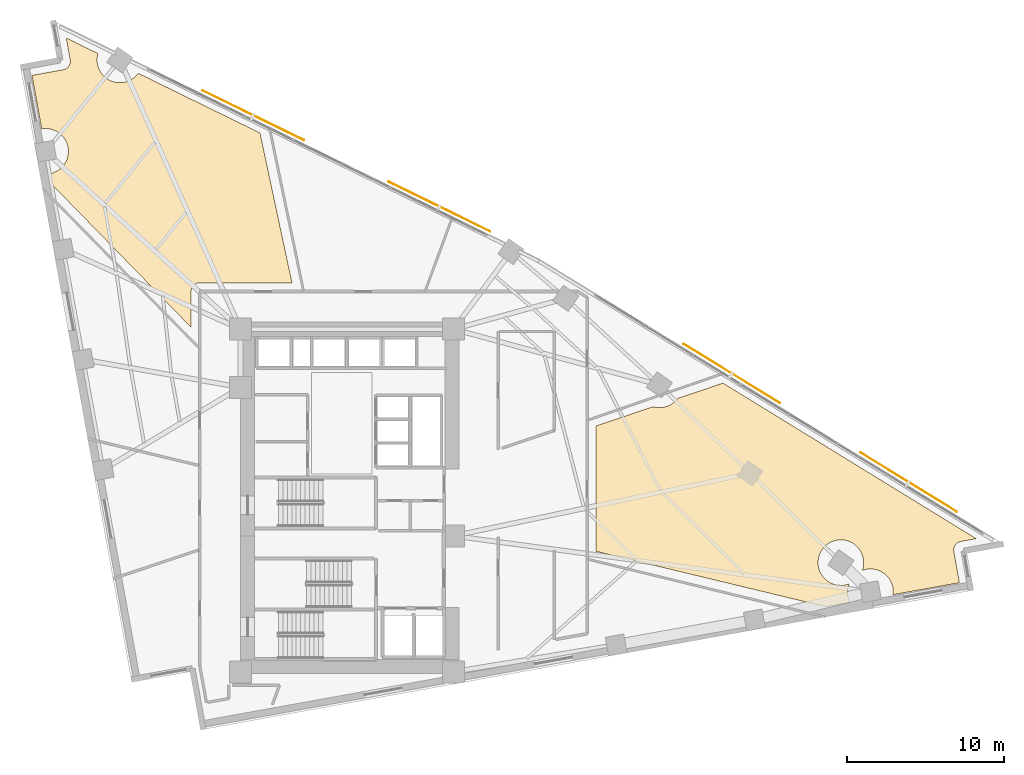
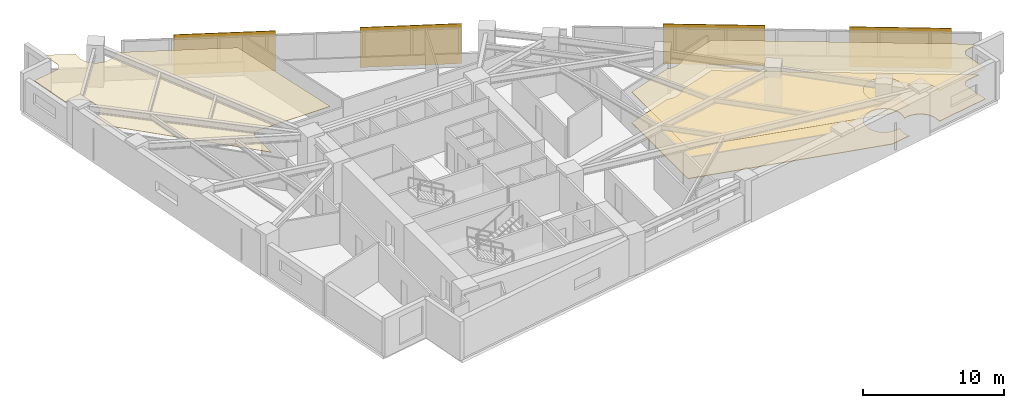
# One storey, part 18 of 18: 4 shading devices, 3 coverings.
"""IFC4 building model written with IfcOpenShell, lengths in metres."""

from ifc_helpers import new_model, si_unit, direction, frame, origin, origin_2d, place, context, subcontext, project, spatial, polyline, rectangle, outline, extrude, material, layer, layer_set, type_object, element, save


model = new_model("IFC4")

# Units and contexts
model_context = context("Model", 3, precision=1e-05, world=origin(), true_north=direction((0.0, 1.0)))
body_context = subcontext(model_context, "Body", "Model", "MODEL_VIEW")
ifc_project = project(units=[si_unit("LENGTHUNIT", "METRE"), si_unit("AREAUNIT", "SQUARE_METRE"), si_unit("VOLUMEUNIT", "CUBIC_METRE"), si_unit("PLANEANGLEUNIT", "RADIAN"), si_unit("MASSUNIT", "GRAM", prefix="KILO")], contexts=[model_context])

# Site, building, storey
site_placement = place(None, origin())
site = spatial("IfcSite", under=ifc_project, at=site_placement, CompositionType="ELEMENT")
building_placement = place(site_placement, origin())
building = spatial("IfcBuilding", under=site, at=building_placement, Name="Narakoshi Arena Tower", CompositionType="ELEMENT")
storey_placement = place(building_placement, frame((0.0, 0.0, 99.300048828125)))
storey = spatial("IfcBuildingStorey", under=building, at=storey_placement, Name="L26", CompositionType="ELEMENT", Elevation=99.300048828125)

# Coverings
ifc_material_1 = material(Name="Acoustic mineral-fibre ceiling tile")
ifc_layer_1 = layer(ifc_material_1, 0.02001953125)
ifc_layer_set_1 = layer_set([ifc_layer_1], Name="Acoustic mineral-fibre ceiling tile")
covering_type_1 = type_object("IfcCoveringType", Name="COV-CLG-AC20", PredefinedType="CEILING", material=ifc_layer_set_1)
covering_1_placement = place(storey_placement, frame((0.0, 0.0, 2.669921875)))
element("IfcCovering", 1, at=covering_1_placement, inside=storey, type_object=covering_type_1, Name="L26 Suspended Acoustic Ceiling 1", PredefinedType="CEILING", context=body_context, shape_type="SweptSolid", body=[
    extrude(outline(polyline([(117.8193359375, 42.995361328125), (117.766845703125, 42.983154296875), (117.715576171875, 42.9658203125), (117.66650390625, 42.943603515625), (117.61962890625, 42.916748046875), (117.57568359375, 42.88525390625), (117.53515625, 42.849609375), (117.498291015625, 42.810302734375), (117.46533203125, 42.767578125), (117.436767578125, 42.7216796875), (117.412841796875, 42.67333984375), (117.393798828125, 42.622802734375), (117.379638671875, 42.57080078125), (117.370849609375, 42.517578125), (117.3671875, 42.463623046875), (117.368896484375, 42.409912109375), (117.3759765625, 42.356201171875), (117.734619140625, 40.372314453125), (113.506103515625, 39.607421875), (113.51318359375, 39.65576171875), (113.520263671875, 39.7978515625), (113.51318359375, 39.93994140625), (113.492431640625, 40.080810546875), (113.4580078125, 40.21875), (113.409912109375, 40.352783203125), (113.34912109375, 40.4814453125), (113.27587890625, 40.603515625), (113.191162109375, 40.7177734375), (113.095703125, 40.8232421875), (112.990234375, 40.918701171875), (112.8759765625, 41.00341796875), (112.75390625, 41.07666015625), (112.625244140625, 41.137451171875), (112.4912109375, 41.185546875), (112.353271484375, 41.219970703125), (112.21240234375, 41.240966796875), (112.0703125, 41.247802734375), (111.92822265625, 41.240966796875), (111.787353515625, 41.219970703125), (111.6494140625, 41.185546875), (111.548095703125, 41.149169921875), (111.576904296875, 41.229248046875), (111.611328125, 41.3671875), (111.632080078125, 41.508056640625), (111.63916015625, 41.650146484375), (111.632080078125, 41.792236328125), (111.611328125, 41.93310546875), (111.576904296875, 42.071044921875), (111.52880859375, 42.205078125), (111.468017578125, 42.333740234375), (111.394775390625, 42.455810546875), (111.31005859375, 42.570068359375), (111.214599609375, 42.675537109375), (111.109130859375, 42.77099609375), (110.994873046875, 42.855712890625), (110.872802734375, 42.928955078125), (110.744140625, 42.98974609375), (110.610107421875, 43.037841796875), (110.47216796875, 43.072265625), (110.331298828125, 43.09326171875), (110.189208984375, 43.10009765625), (110.047119140625, 43.09326171875), (109.90625, 43.072265625), (109.768310546875, 43.037841796875), (109.63427734375, 42.98974609375), (109.505615234375, 42.928955078125), (109.383544921875, 42.855712890625), (109.269287109375, 42.77099609375), (109.163818359375, 42.675537109375), (109.068359375, 42.570068359375), (108.983642578125, 42.455810546875), (108.910400390625, 42.333740234375), (108.849609375, 42.205078125), (108.801513671875, 42.071044921875), (108.76708984375, 41.93310546875), (108.74609375, 41.792236328125), (108.7392578125, 41.650146484375), (108.74609375, 41.508056640625), (108.76708984375, 41.3671875), (108.801513671875, 41.229248046875), (108.849609375, 41.09521484375), (108.910400390625, 40.966796875), (108.983642578125, 40.844482421875), (109.068359375, 40.730224609375), (109.163818359375, 40.625), (109.269287109375, 40.529296875), (109.383544921875, 40.444580078125), (109.505615234375, 40.371337890625), (109.63427734375, 40.310546875), (109.768310546875, 40.2626953125), (109.90625, 40.22802734375), (110.047119140625, 40.207275390625), (110.189208984375, 40.2001953125), (110.331298828125, 40.207275390625), (110.47216796875, 40.22802734375), (110.610107421875, 40.2626953125), (110.71142578125, 40.298828125), (110.6826171875, 40.21875), (110.648193359375, 40.080810546875), (110.627197265625, 39.93994140625), (110.620361328125, 39.7978515625), (110.627197265625, 39.65576171875), (110.648193359375, 39.514892578125), (110.6826171875, 39.376953125), (110.730712890625, 39.242919921875), (110.79052734375, 39.116455078125), (109.254150390625, 38.83837890625), (94.60009765625, 42.370361328125), (94.60009765625, 50.339599609375), (98.23681640625, 51.56689453125), (98.3583984375, 51.53662109375), (98.499267578125, 51.515625), (98.641357421875, 51.508544921875), (98.783447265625, 51.515625), (98.92431640625, 51.53662109375), (99.062255859375, 51.571044921875), (99.1962890625, 51.618896484375), (99.324951171875, 51.6796875), (99.447021484375, 51.7529296875), (99.561279296875, 51.837646484375), (99.666748046875, 51.933349609375), (99.76220703125, 52.038818359375), (99.804931640625, 52.09619140625), (102.687255859375, 53.069091796875), (118.80029296875, 43.172607421875), (117.8193359375, 42.995361328125)])), origin(), (0.0, 0.0, 1.0), 0.02001953125),
])
ifc_material_2 = material(Name="Slatted oak acoustic timber baffle", Category="wood")
ifc_layer_2 = layer(ifc_material_2, 0.034912109375)
ifc_layer_set_2 = layer_set([ifc_layer_2], Name="Slatted oak acoustic timber baffle")
covering_type_2 = type_object("IfcCoveringType", Name="COV-CLG-WD35", PredefinedType="CEILING", material=ifc_layer_set_2)
covering_2_placement = place(storey_placement, frame((0.0, 0.0, 2.655029296875)))
element("IfcCovering", 2, at=covering_2_placement, inside=storey, type_object=covering_type_2, Name="L26 Suspended Acoustic Ceiling 2", PredefinedType="CEILING", context=body_context, shape_type="SweptSolid", body=[
    extrude(outline(polyline([(60.713623046875, 73.00830078125), (60.76611328125, 73.0205078125), (60.8173828125, 73.037841796875), (60.866455078125, 73.06005859375), (60.9130859375, 73.0869140625), (60.95703125, 73.118408203125), (60.997802734375, 73.154052734375), (61.03466796875, 73.193359375), (61.067626953125, 73.236083984375), (61.09619140625, 73.281982421875), (61.1201171875, 73.330322265625), (61.13916015625, 73.380859375), (61.1533203125, 73.432861328125), (61.162109375, 73.486083984375), (61.16552734375, 73.5400390625), (61.163818359375, 73.593994140625), (61.156982421875, 73.6474609375), (60.90771484375, 75.025390625), (62.92578125, 74.03662109375), (62.895751953125, 73.916015625), (62.874755859375, 73.775146484375), (62.867919921875, 73.633056640625), (62.874755859375, 73.490966796875), (62.895751953125, 73.35009765625), (62.93017578125, 73.212158203125), (62.978271484375, 73.078125), (63.0390625, 72.949462890625), (63.1123046875, 72.827392578125), (63.197021484375, 72.713134765625), (63.29248046875, 72.607666015625), (63.39794921875, 72.51220703125), (63.51220703125, 72.427490234375), (63.63427734375, 72.354248046875), (63.762939453125, 72.29345703125), (63.89697265625, 72.245361328125), (64.034912109375, 72.2109375), (64.17578125, 72.18994140625), (64.31787109375, 72.18310546875), (64.4599609375, 72.18994140625), (64.6005859375, 72.2109375), (64.73876953125, 72.245361328125), (64.872802734375, 72.29345703125), (65.001220703125, 72.354248046875), (65.123291015625, 72.427490234375), (65.23779296875, 72.51220703125), (65.343017578125, 72.607666015625), (65.438720703125, 72.713134765625), (65.48876953125, 72.78076171875), (73.233154296875, 68.986083984375), (75.268798828125, 59.449951171875), (69.39990234375, 59.449951171875), (69.34619140625, 59.447509765625), (69.292724609375, 59.439453125), (69.240234375, 59.42626953125), (69.189453125, 59.408203125), (69.140625, 59.385009765625), (69.094482421875, 59.357421875), (69.051025390625, 59.3251953125), (69.010986328125, 59.288818359375), (68.974853515625, 59.248779296875), (68.942626953125, 59.20556640625), (68.914794921875, 59.1591796875), (68.891845703125, 59.110595703125), (68.873779296875, 59.059814453125), (68.860595703125, 59.00732421875), (68.8525390625, 58.953857421875), (68.85009765625, 58.89990234375), (68.85009765625, 56.619384765625), (59.982177734375, 65.722412109375), (59.861083984375, 66.3916015625), (59.87646484375, 66.393798828125), (60.014404296875, 66.42822265625), (60.1484375, 66.476318359375), (60.277099609375, 66.537109375), (60.399169921875, 66.6103515625), (60.513427734375, 66.695068359375), (60.618896484375, 66.79052734375), (60.71435546875, 66.89599609375), (60.799072265625, 67.01025390625), (60.872314453125, 67.13232421875), (60.93310546875, 67.260986328125), (60.981201171875, 67.39501953125), (61.015625, 67.532958984375), (61.03662109375, 67.673828125), (61.04345703125, 67.81591796875), (61.03662109375, 67.9580078125), (61.015625, 68.098876953125), (60.981201171875, 68.23681640625), (60.93310546875, 68.370849609375), (60.872314453125, 68.49951171875), (60.799072265625, 68.62158203125), (60.71435546875, 68.73583984375), (60.618896484375, 68.84130859375), (60.513427734375, 68.936767578125), (60.399169921875, 69.021484375), (60.277099609375, 69.0947265625), (60.1484375, 69.155517578125), (60.014404296875, 69.20361328125), (59.87646484375, 69.238037109375), (59.735595703125, 69.2587890625), (59.593505859375, 69.265869140625), (59.451416015625, 69.2587890625), (59.345703125, 69.2431640625), (58.7294921875, 72.649658203125), (60.713623046875, 73.00830078125)])), origin(), (0.0, 0.0, 1.0), 0.034912109375),
])
ifc_material_3 = material(Name="Raised steel access floor panel", Category="steel")
ifc_layer_3 = layer(ifc_material_3, 0.044921875)
ifc_layer_set_3 = layer_set([ifc_layer_3], Name="Raised steel access floor panel")
covering_type_3 = type_object("IfcCoveringType", Name="COV-FLR-RF45", PredefinedType="FLOORING", material=ifc_layer_set_3)
covering_3_placement = place(storey_placement, origin())
element("IfcCovering", 3, at=covering_3_placement, inside=storey, type_object=covering_type_3, Name="L26 Raised Steel Access Floor", PredefinedType="FLOORING", context=body_context, shape_type="SweptSolid", body=[
    extrude(outline(polyline([(117.8193359375, 42.995361328125), (117.766845703125, 42.983154296875), (117.715576171875, 42.9658203125), (117.66650390625, 42.943603515625), (117.61962890625, 42.916748046875), (117.57568359375, 42.88525390625), (117.53515625, 42.849609375), (117.498291015625, 42.810302734375), (117.46533203125, 42.767578125), (117.436767578125, 42.7216796875), (117.412841796875, 42.67333984375), (117.393798828125, 42.622802734375), (117.379638671875, 42.57080078125), (117.370849609375, 42.517578125), (117.3671875, 42.463623046875), (117.368896484375, 42.409912109375), (117.3759765625, 42.356201171875), (117.734619140625, 40.372314453125), (113.506103515625, 39.607421875), (113.51318359375, 39.65576171875), (113.520263671875, 39.7978515625), (113.51318359375, 39.93994140625), (113.492431640625, 40.080810546875), (113.4580078125, 40.21875), (113.409912109375, 40.352783203125), (113.34912109375, 40.4814453125), (113.27587890625, 40.603515625), (113.191162109375, 40.7177734375), (113.095703125, 40.8232421875), (112.990234375, 40.918701171875), (112.8759765625, 41.00341796875), (112.75390625, 41.07666015625), (112.625244140625, 41.137451171875), (112.4912109375, 41.185546875), (112.353271484375, 41.219970703125), (112.21240234375, 41.240966796875), (112.0703125, 41.247802734375), (111.92822265625, 41.240966796875), (111.787353515625, 41.219970703125), (111.6494140625, 41.185546875), (111.548095703125, 41.149169921875), (111.576904296875, 41.229248046875), (111.611328125, 41.3671875), (111.632080078125, 41.508056640625), (111.63916015625, 41.650146484375), (111.632080078125, 41.792236328125), (111.611328125, 41.93310546875), (111.576904296875, 42.071044921875), (111.52880859375, 42.205078125), (111.468017578125, 42.333740234375), (111.394775390625, 42.455810546875), (111.31005859375, 42.570068359375), (111.214599609375, 42.675537109375), (111.109130859375, 42.77099609375), (110.994873046875, 42.855712890625), (110.872802734375, 42.928955078125), (110.744140625, 42.98974609375), (110.610107421875, 43.037841796875), (110.47216796875, 43.072265625), (110.331298828125, 43.09326171875), (110.189208984375, 43.10009765625), (110.047119140625, 43.09326171875), (109.90625, 43.072265625), (109.768310546875, 43.037841796875), (109.63427734375, 42.98974609375), (109.505615234375, 42.928955078125), (109.383544921875, 42.855712890625), (109.269287109375, 42.77099609375), (109.163818359375, 42.675537109375), (109.068359375, 42.570068359375), (108.983642578125, 42.455810546875), (108.910400390625, 42.333740234375), (108.849609375, 42.205078125), (108.801513671875, 42.071044921875), (108.76708984375, 41.93310546875), (108.74609375, 41.792236328125), (108.7392578125, 41.650146484375), (108.74609375, 41.508056640625), (108.76708984375, 41.3671875), (108.801513671875, 41.229248046875), (108.849609375, 41.09521484375), (108.910400390625, 40.966796875), (108.983642578125, 40.844482421875), (109.068359375, 40.730224609375), (109.163818359375, 40.625), (109.269287109375, 40.529296875), (109.383544921875, 40.444580078125), (109.505615234375, 40.371337890625), (109.63427734375, 40.310546875), (109.768310546875, 40.2626953125), (109.90625, 40.22802734375), (110.047119140625, 40.207275390625), (110.189208984375, 40.2001953125), (110.331298828125, 40.207275390625), (110.47216796875, 40.22802734375), (110.610107421875, 40.2626953125), (110.71142578125, 40.298828125), (110.6826171875, 40.21875), (110.648193359375, 40.080810546875), (110.627197265625, 39.93994140625), (110.620361328125, 39.7978515625), (110.627197265625, 39.65576171875), (110.648193359375, 39.514892578125), (110.6826171875, 39.376953125), (110.730712890625, 39.242919921875), (110.79052734375, 39.116455078125), (109.254150390625, 38.83837890625), (94.60009765625, 42.370361328125), (94.60009765625, 50.339599609375), (98.23681640625, 51.56689453125), (98.3583984375, 51.53662109375), (98.499267578125, 51.515625), (98.641357421875, 51.508544921875), (98.783447265625, 51.515625), (98.92431640625, 51.53662109375), (99.062255859375, 51.571044921875), (99.1962890625, 51.618896484375), (99.324951171875, 51.6796875), (99.447021484375, 51.7529296875), (99.561279296875, 51.837646484375), (99.666748046875, 51.933349609375), (99.76220703125, 52.038818359375), (99.804931640625, 52.09619140625), (102.687255859375, 53.069091796875), (118.80029296875, 43.172607421875), (117.8193359375, 42.995361328125)])), origin(), (0.0, 0.0, 1.0), 0.044921875),
])

# Shading devices
ifc_material_4 = material(Name="Perforated bronze ceramic-metal composite")
ifc_layer_4 = layer(ifc_material_4, 0.044921875)
ifc_layer_set_4 = layer_set([ifc_layer_4], Name="Perforated bronze ceramic-metal composite")
shading_device_type = type_object("IfcShadingDeviceType", Name="SHD-SCR-BRZ1", PredefinedType="USERDEFINED", material=ifc_layer_set_4)
for number, where, z_axis, x_axis, name in (
    (4, (114.495849609375, 46.77001953125, 0.0), (0.0, 0.0, 1.0), (-0.852110807003, 0.523361416794, 0.0), "L26 Perforated Bronze Solar Screen 1-1"),
    (5, (103.247802734375, 53.67822265625, 0.0), (0.0, 0.0, 1.0), (-0.852110807003, 0.523361416794, 0.0), "L26 Perforated Bronze Solar Screen 1-2"),
    (6, (84.6494140625, 64.297119140625, 0.0), (0.0, 0.0, 1.0), (-0.897996860024, 0.440001862936, 0.0), "L26 Perforated Bronze Solar Screen 2-1"),
    (7, (72.7958984375, 70.105224609375, 0.0), (0.0, 0.0, 1.0), (-0.897996860024, 0.440001862936, 0.0), "L26 Perforated Bronze Solar Screen 2-2"),
):
    element("IfcShadingDevice", number, at=place(storey_placement, frame(where, z_axis=z_axis, x_axis=x_axis)), inside=storey, type_object=shading_device_type, Name=name, ObjectType="SOLAR SCREEN", PredefinedType="USERDEFINED", context=body_context, shape_type="SweptSolid", body=[
        extrude(rectangle(XDim=7.199951171875, YDim=0.044921875, at=origin_2d()), origin(), (0.0, 0.0, 1.0), 3.449951171875),
    ])

save(model, "model.ifc")
